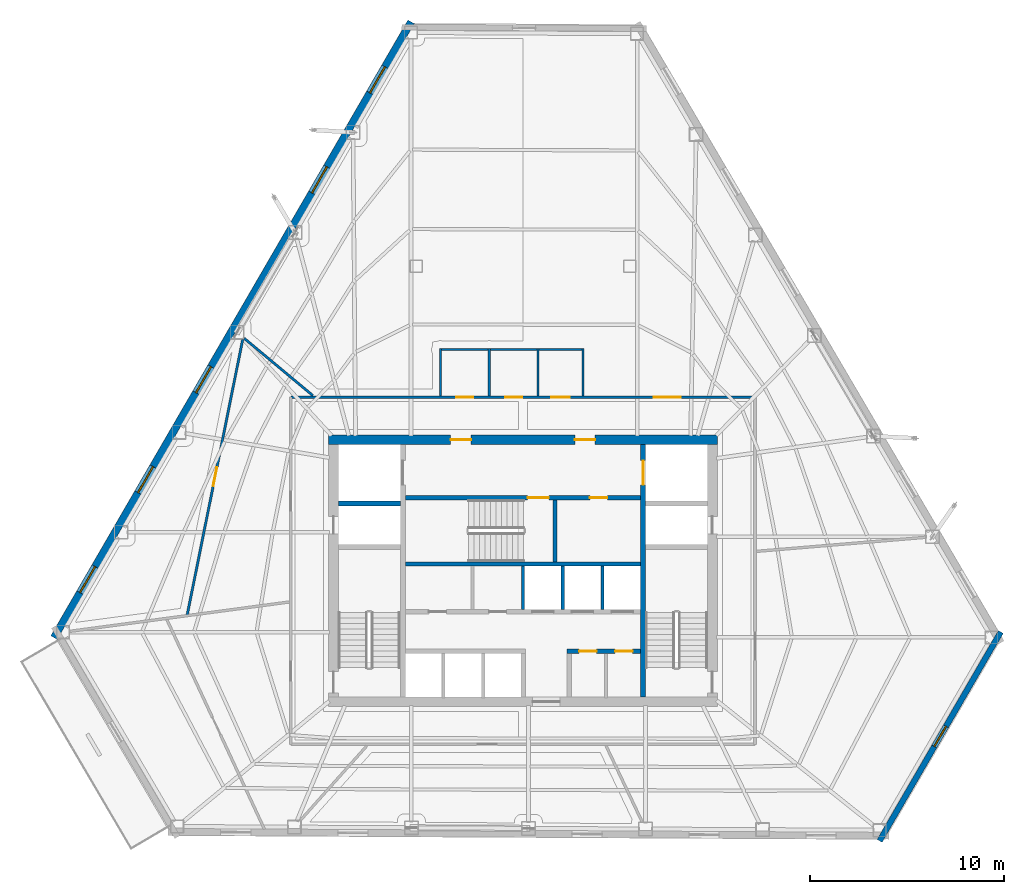
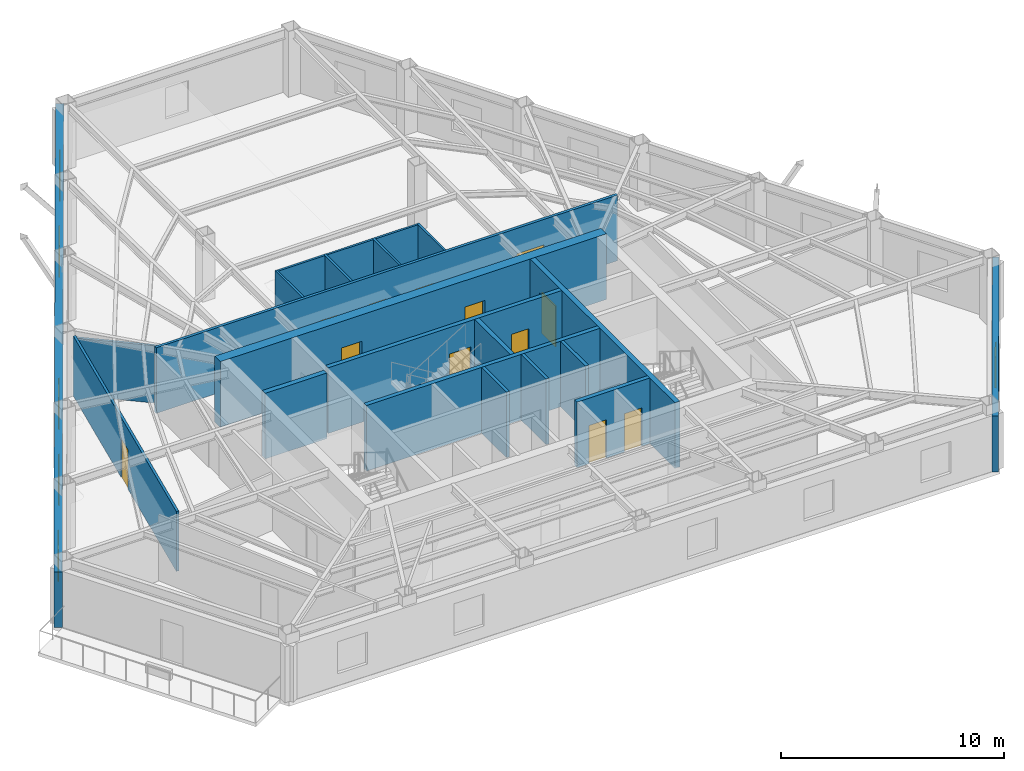
# One storey, part 8 of 13: 20 walls, 12 doors, 6 windows, 18 openings.
"""IFC4 building model written with IfcOpenShell, lengths in metres."""

from ifc_helpers import new_model, si_unit, direction, frame, frame_2d, origin, place, context, subcontext, project, spatial, rectangle, extrude, material, layer, layer_set, type_object, element, fill, save


model = new_model("IFC4")

# Units and contexts
model_context = context("Model", 3, precision=1e-05, world=origin(), true_north=direction((0.0, 1.0)))
body_context = subcontext(model_context, "Body", "Model", "MODEL_VIEW")
ifc_project = project(units=[si_unit("LENGTHUNIT", "METRE"), si_unit("AREAUNIT", "SQUARE_METRE"), si_unit("VOLUMEUNIT", "CUBIC_METRE"), si_unit("PLANEANGLEUNIT", "RADIAN"), si_unit("MASSUNIT", "GRAM", prefix="KILO")], contexts=[model_context])

# Site, building, storey
site_placement = place(None, origin())
site = spatial("IfcSite", under=ifc_project, at=site_placement, CompositionType="ELEMENT")
building_placement = place(site_placement, origin())
building = spatial("IfcBuilding", under=site, at=building_placement, Name="Kavelnor Concourse Tower", CompositionType="ELEMENT")
storey_placement = place(building_placement, frame((0.0, 0.0, 124.0)))
storey = spatial("IfcBuildingStorey", under=building, at=storey_placement, Name="L31", CompositionType="ELEMENT", Elevation=124.0)

# Wall, openings, doors
ifc_material_1 = material(Name="Concrete C60/75", Category="concrete")
ifc_layer_1 = layer(ifc_material_1, 0.5, Name="Concrete C60/75")
ifc_layer_set_1 = layer_set([ifc_layer_1], Name="Concrete C60/75")
wall_type_1 = type_object("IfcWallType", Name="WL-CORE-Z2-500", PredefinedType="SOLIDWALL", material=ifc_layer_set_1)
wall_1_placement = place(storey_placement, frame((27.97998046875, 22.85009765625, 0.0), z_axis=(0.0, 0.0, 1.0), x_axis=(1.0, 0.0, 0.0)))
wall_1 = element("IfcWall", 1, at=wall_1_placement, inside=storey, type_object=wall_type_1, Name="L31 Central Core North Shear Wall", PredefinedType="SOLIDWALL", context=body_context, shape_type="SweptSolid", body=[
    extrude(rectangle(XDim=20.0400390625, YDim=0.5, at=frame_2d((10.02001953125, 0.0))), origin(), (0.0, 0.0, 1.0), 3.60009765625),
])
opening_1_placement = place(wall_1_placement, frame((6.294921875, 0.0, 0.0)))
opening_1 = element("IfcOpeningElement", 2, at=opening_1_placement, cuts=wall_1, Name="Opening FD-105", PredefinedType="OPENING", context=body_context, shape_type="SweptSolid", body=[
    extrude(rectangle(XDim=1.050048828125, YDim=2.14990234375, at=frame_2d((0.52490234375, 1.074951171875))), frame((0.0, 0.260009765625, 0.0), z_axis=(0.0, -1.0, 0.0), x_axis=(1.0, 0.0, 0.0)), (0.0, 0.0, 1.0), 0.52001953125),
])
opening_2_placement = place(wall_1_placement, frame((12.695068359375, 0.0, 0.0)))
opening_2 = element("IfcOpeningElement", 3, at=opening_2_placement, cuts=wall_1, Name="Opening FD-105", PredefinedType="OPENING", context=body_context, shape_type="SweptSolid", body=[
    extrude(rectangle(XDim=1.050048828125, YDim=2.14990234375, at=frame_2d((0.52490234375, 1.074951171875))), frame((0.0, 0.260009765625, 0.0), z_axis=(0.0, -1.0, 0.0), x_axis=(1.0, 0.0, 0.0)), (0.0, 0.0, 1.0), 0.52001953125),
])
ifc_material_2 = material(Name="Steel Grade 350", Category="steel")
door_type_1 = type_object("IfcDoorType", Name="DR-LOBBY-FIRE-1050", OperationType="NOTDEFINED", PredefinedType="DOOR", material=ifc_material_2)
door_1_placement = place(opening_1_placement, origin())
door_1 = element("IfcDoor", 4, at=door_1_placement, inside=storey, type_object=door_type_1, Name="L31 Emergency Lift Lobby West Door", OperationType="SINGLE_SWING_LEFT", OverallHeight=2.14990234375, OverallWidth=1.050048828125, PredefinedType="DOOR", context=body_context, shape_type="SweptSolid", body=[
    extrude(rectangle(XDim=1.050048828125, YDim=2.14990234375, at=frame_2d((0.52490234375, 1.074951171875))), frame((0.0, 0.02490234375, 0.0), z_axis=(0.0, -1.0, 0.0), x_axis=(1.0, 0.0, 0.0)), (0.0, 0.0, 1.0), 0.050048828125),
])
fill(opening_1, door_1)
door_2_placement = place(opening_2_placement, origin())
door_2 = element("IfcDoor", 5, at=door_2_placement, inside=storey, type_object=door_type_1, Name="L31 Emergency Lift Lobby East Door", OperationType="SINGLE_SWING_RIGHT", OverallHeight=2.14990234375, OverallWidth=1.050048828125, PredefinedType="DOOR", context=body_context, shape_type="SweptSolid", body=[
    extrude(rectangle(XDim=1.050048828125, YDim=2.14990234375, at=frame_2d((0.52490234375, 1.074951171875))), frame((0.0, 0.02490234375, 0.0), z_axis=(0.0, -1.0, 0.0), x_axis=(1.0, 0.0, 0.0)), (0.0, 0.0, 1.0), 0.050048828125),
])
fill(opening_2, door_2)

# Wall, opening, window
ifc_material_3 = material(Name="Buff ironspot clay face brick masonry", Category="masonry")
ifc_layer_2 = layer(ifc_material_3, 0.300048828125, Name="Buff ironspot clay face brick masonry")
ifc_layer_set_2 = layer_set([ifc_layer_2], Name="Buff ironspot clay face brick masonry")
wall_type_2 = type_object("IfcWallType", Name="WL-EXT-BUFF-BRICK-FOLD-300", PredefinedType="STANDARD", material=ifc_layer_set_2)
wall_2_placement = place(storey_placement, frame((62.638671875, 12.944091796875, 0.0), z_axis=(0.0, 0.0, 1.0), x_axis=(-0.501721315846, -0.865029318131, 0.0)))
wall_2 = element("IfcWall", 6, at=wall_2_placement, inside=storey, type_object=wall_type_2, Name="L31 Exterior Brick Facade Wall E4", PredefinedType="STANDARD", context=body_context, shape_type="SweptSolid", body=[
    extrude(rectangle(XDim=12.4580078125, YDim=0.300048828125, at=frame_2d((6.22900390625, 0.0))), origin(), (0.0, 0.0, 1.0), 3.05908203125),
])
opening_3_placement = place(wall_2_placement, frame((5.629150390625, 0.0, 0.64990234375)))
opening_3 = element("IfcOpeningElement", 7, at=opening_3_placement, cuts=wall_2, Name="Opening W-05", PredefinedType="OPENING", context=body_context, shape_type="SweptSolid", body=[
    extrude(rectangle(XDim=1.199951171875, YDim=1.699951171875, at=frame_2d((0.60009765625, 0.85009765625))), frame((0.0, 0.16015625, 0.0), z_axis=(0.0, -1.0, 0.0), x_axis=(1.0, 0.0, 0.0)), (0.0, 0.0, 1.0), 0.320068359375),
])
ifc_material_4 = material(Name="Double low-E argon insulated glazing", Category="glass")
window_type_1 = type_object("IfcWindowType", Name="WIN-FOLD-1200", PartitioningType="SINGLE_PANEL", PredefinedType="WINDOW", material=ifc_material_4)
window_1_placement = place(opening_3_placement, origin())
window_1 = element("IfcWindow", 8, at=window_1_placement, inside=storey, type_object=window_type_1, Name="L31 Chamfer-Fold Facet Window C2", OverallHeight=1.699951171875, OverallWidth=1.199951171875, PartitioningType="SINGLE_PANEL", PredefinedType="WINDOW", context=body_context, shape_type="SweptSolid", body=[
    extrude(rectangle(XDim=1.199951171875, YDim=1.699951171875, at=frame_2d((0.60009765625, 0.85009765625))), frame((0.0, 0.030029296875, 0.0), z_axis=(0.0, -1.0, 0.0), x_axis=(1.0, 0.0, 0.0)), (0.0, 0.0, 1.0), 0.06005859375),
])
fill(opening_3, window_1)

# Wall, openings, windows
ifc_material_5 = material(Name="Red-ochre clay face brick masonry", Category="masonry")
ifc_layer_3 = layer(ifc_material_5, 0.3798828125, Name="Red-ochre clay face brick masonry")
ifc_layer_set_3 = layer_set([ifc_layer_3], Name="Red-ochre clay face brick masonry")
wall_type_3 = type_object("IfcWallType", Name="WL-EXT-RED-BRICK-PIER-380", PredefinedType="STANDARD", material=ifc_layer_set_3)
wall_3_placement = place(storey_placement, frame((13.815185546875, 12.6494140625, 0.0), z_axis=(0.0, 0.0, 1.0), x_axis=(0.501718288841, 0.865031073801, 0.0)))
wall_3 = element("IfcWall", 9, at=wall_3_placement, inside=storey, type_object=wall_type_3, Name="L31 Exterior Brick Facade Wall E1", PredefinedType="STANDARD", context=body_context, shape_type="SweptSolid", body=[
    extrude(rectangle(XDim=36.707763671875, YDim=0.3798828125, at=frame_2d((18.35400390625, 0.0))), origin(), (0.0, 0.0, 1.0), 3.05908203125),
])
opening_4_placement = place(wall_3_placement, frame((32.4755859375, 0.0, 0.64990234375)))
opening_4 = element("IfcOpeningElement", 10, at=opening_4_placement, cuts=wall_3, Name="Opening W-02", PredefinedType="OPENING", context=body_context, shape_type="SweptSolid", body=[
    extrude(rectangle(XDim=1.550048828125, YDim=1.75, at=frame_2d((0.77490234375, 0.875))), frame((0.0, 0.199951171875, 0.0), z_axis=(0.0, -1.0, 0.0), x_axis=(1.0, 0.0, 0.0)), (0.0, 0.0, 1.0), 0.39990234375),
])
opening_5_placement = place(wall_3_placement, frame((26.517333984375, 0.0, 0.64990234375)))
opening_5 = element("IfcOpeningElement", 11, at=opening_5_placement, cuts=wall_3, Name="Opening W-02", PredefinedType="OPENING", context=body_context, shape_type="SweptSolid", body=[
    extrude(rectangle(XDim=1.550048828125, YDim=1.75, at=frame_2d((0.77490234375, 0.875))), frame((0.0, 0.199951171875, 0.0), z_axis=(0.0, -1.0, 0.0), x_axis=(1.0, 0.0, 0.0)), (0.0, 0.0, 1.0), 0.39990234375),
])
opening_6_placement = place(wall_3_placement, frame((14.600830078125, 0.0, 0.64990234375)))
opening_6 = element("IfcOpeningElement", 12, at=opening_6_placement, cuts=wall_3, Name="Opening W-02", PredefinedType="OPENING", context=body_context, shape_type="SweptSolid", body=[
    extrude(rectangle(XDim=1.550048828125, YDim=1.75, at=frame_2d((0.77490234375, 0.875))), frame((0.0, 0.199951171875, 0.0), z_axis=(0.0, -1.0, 0.0), x_axis=(1.0, 0.0, 0.0)), (0.0, 0.0, 1.0), 0.39990234375),
])
opening_7_placement = place(wall_3_placement, frame((8.642578125, 0.0, 0.64990234375)))
opening_7 = element("IfcOpeningElement", 13, at=opening_7_placement, cuts=wall_3, Name="Opening W-02", PredefinedType="OPENING", context=body_context, shape_type="SweptSolid", body=[
    extrude(rectangle(XDim=1.550048828125, YDim=1.75, at=frame_2d((0.77490234375, 0.875))), frame((0.0, 0.199951171875, 0.0), z_axis=(0.0, -1.0, 0.0), x_axis=(1.0, 0.0, 0.0)), (0.0, 0.0, 1.0), 0.39990234375),
])
opening_8_placement = place(wall_3_placement, frame((2.684326171875, 0.0, 0.64990234375)))
opening_8 = element("IfcOpeningElement", 14, at=opening_8_placement, cuts=wall_3, Name="Opening W-02", PredefinedType="OPENING", context=body_context, shape_type="SweptSolid", body=[
    extrude(rectangle(XDim=1.550048828125, YDim=1.75, at=frame_2d((0.77490234375, 0.875))), frame((0.0, 0.199951171875, 0.0), z_axis=(0.0, -1.0, 0.0), x_axis=(1.0, 0.0, 0.0)), (0.0, 0.0, 1.0), 0.39990234375),
])
window_type_2 = type_object("IfcWindowType", Name="WIN-PIER-Z2-1650", PartitioningType="SINGLE_PANEL", PredefinedType="WINDOW", material=ifc_material_4)
window_2_placement = place(opening_4_placement, origin())
window_2 = element("IfcWindow", 15, at=window_2_placement, inside=storey, type_object=window_type_2, Name="L31 Deep-Set Brick Pier Window F0-B0", OverallHeight=1.75, OverallWidth=1.550048828125, PartitioningType="SINGLE_PANEL", PredefinedType="WINDOW", context=body_context, shape_type="SweptSolid", body=[
    extrude(rectangle(XDim=1.550048828125, YDim=1.75, at=frame_2d((0.77490234375, 0.875))), frame((0.0, 0.030029296875, 0.0), z_axis=(0.0, -1.0, 0.0), x_axis=(1.0, 0.0, 0.0)), (0.0, 0.0, 1.0), 0.06005859375),
])
fill(opening_4, window_2)
window_3_placement = place(opening_5_placement, origin())
window_3 = element("IfcWindow", 16, at=window_3_placement, inside=storey, type_object=window_type_2, Name="L31 Deep-Set Brick Pier Window F0-B1", OverallHeight=1.75, OverallWidth=1.550048828125, PartitioningType="SINGLE_PANEL", PredefinedType="WINDOW", context=body_context, shape_type="SweptSolid", body=[
    extrude(rectangle(XDim=1.550048828125, YDim=1.75, at=frame_2d((0.77490234375, 0.875))), frame((0.0, 0.030029296875, 0.0), z_axis=(0.0, -1.0, 0.0), x_axis=(1.0, 0.0, 0.0)), (0.0, 0.0, 1.0), 0.06005859375),
])
fill(opening_5, window_3)
window_4_placement = place(opening_6_placement, origin())
window_4 = element("IfcWindow", 17, at=window_4_placement, inside=storey, type_object=window_type_2, Name="L31 Deep-Set Brick Pier Window F0-B3", OverallHeight=1.75, OverallWidth=1.550048828125, PartitioningType="SINGLE_PANEL", PredefinedType="WINDOW", context=body_context, shape_type="SweptSolid", body=[
    extrude(rectangle(XDim=1.550048828125, YDim=1.75, at=frame_2d((0.77490234375, 0.875))), frame((0.0, 0.030029296875, 0.0), z_axis=(0.0, -1.0, 0.0), x_axis=(1.0, 0.0, 0.0)), (0.0, 0.0, 1.0), 0.06005859375),
])
fill(opening_6, window_4)
window_5_placement = place(opening_7_placement, origin())
window_5 = element("IfcWindow", 18, at=window_5_placement, inside=storey, type_object=window_type_2, Name="L31 Deep-Set Brick Pier Window F0-B4", OverallHeight=1.75, OverallWidth=1.550048828125, PartitioningType="SINGLE_PANEL", PredefinedType="WINDOW", context=body_context, shape_type="SweptSolid", body=[
    extrude(rectangle(XDim=1.550048828125, YDim=1.75, at=frame_2d((0.77490234375, 0.875))), frame((0.0, 0.030029296875, 0.0), z_axis=(0.0, -1.0, 0.0), x_axis=(1.0, 0.0, 0.0)), (0.0, 0.0, 1.0), 0.06005859375),
])
fill(opening_7, window_5)
window_6_placement = place(opening_8_placement, origin())
window_6 = element("IfcWindow", 19, at=window_6_placement, inside=storey, type_object=window_type_2, Name="L31 Deep-Set Brick Pier Window F0-B5", OverallHeight=1.75, OverallWidth=1.550048828125, PartitioningType="SINGLE_PANEL", PredefinedType="WINDOW", context=body_context, shape_type="SweptSolid", body=[
    extrude(rectangle(XDim=1.550048828125, YDim=1.75, at=frame_2d((0.77490234375, 0.875))), frame((0.0, 0.030029296875, 0.0), z_axis=(0.0, -1.0, 0.0), x_axis=(1.0, 0.0, 0.0)), (0.0, 0.0, 1.0), 0.06005859375),
])
fill(opening_8, window_6)

# Wall, openings, doors
ifc_material_6 = material(Name="Gypsum plasterboard on light-gauge steel studs", Category="steel")
ifc_layer_4 = layer(ifc_material_6, 0.14501953125, Name="Gypsum plasterboard on light-gauge steel studs")
ifc_layer_set_4 = layer_set([ifc_layer_4], Name="Gypsum plasterboard on light-gauge steel studs")
wall_type_4 = type_object("IfcWallType", Name="WL-INT-CORR-145", PredefinedType="PARTITIONING", material=ifc_layer_set_4)
wall_4_placement = place(storey_placement, frame((49.969970703125, 25.050048828125, 0.0), z_axis=(0.0, 0.0, 1.0), x_axis=(-1.0, 0.0, 0.0)))
wall_4 = element("IfcWall", 20, at=wall_4_placement, inside=storey, type_object=wall_type_4, Name="L31 Corridor Wall WL-L31-CR-02", PredefinedType="PARTITIONING", context=body_context, shape_type="SweptSolid", body=[
    extrude(rectangle(XDim=23.93994140625, YDim=0.14501953125, at=frame_2d((11.969970703125, 0.0))), origin(), (0.0, 0.0, 1.0), 3.60009765625),
])
opening_9_placement = place(wall_4_placement, frame((14.530029296875, 0.0, 0.0)))
opening_9 = element("IfcOpeningElement", 21, at=opening_9_placement, cuts=wall_4, Name="Opening WD-088", PredefinedType="OPENING", context=body_context, shape_type="SweptSolid", body=[
    extrude(rectangle(XDim=0.8798828125, YDim=2.10009765625, at=frame_2d((0.43994140625, 1.050048828125))), frame((0.0, 0.08251953125, 0.0), z_axis=(0.0, -1.0, 0.0), x_axis=(1.0, 0.0, 0.0)), (0.0, 0.0, 1.0), 0.1650390625),
])
opening_10_placement = place(wall_4_placement, frame((12.010009765625, 0.0, 0.0)))
opening_10 = element("IfcOpeningElement", 22, at=opening_10_placement, cuts=wall_4, Name="Opening WD-088", PredefinedType="OPENING", context=body_context, shape_type="SweptSolid", body=[
    extrude(rectangle(XDim=0.8798828125, YDim=2.10009765625, at=frame_2d((0.43994140625, 1.050048828125))), frame((0.0, 0.08251953125, 0.0), z_axis=(0.0, -1.0, 0.0), x_axis=(1.0, 0.0, 0.0)), (0.0, 0.0, 1.0), 0.1650390625),
])
opening_11_placement = place(wall_4_placement, frame((9.550048828125, 0.0, 0.0)))
opening_11 = element("IfcOpeningElement", 23, at=opening_11_placement, cuts=wall_4, Name="Opening WD-096", PredefinedType="OPENING", context=body_context, shape_type="SweptSolid", body=[
    extrude(rectangle(XDim=0.9599609375, YDim=2.10009765625, at=frame_2d((0.47998046875, 1.050048828125))), frame((0.0, 0.08251953125, 0.0), z_axis=(0.0, -1.0, 0.0), x_axis=(1.0, 0.0, 0.0)), (0.0, 0.0, 1.0), 0.1650390625),
])
opening_12_placement = place(wall_4_placement, frame((3.82568359375, 0.0, 0.0)))
opening_12 = element("IfcOpeningElement", 24, at=opening_12_placement, cuts=wall_4, Name="Opening SD-140", PredefinedType="OPENING", context=body_context, shape_type="SweptSolid", body=[
    extrude(rectangle(XDim=1.39990234375, YDim=2.199951171875, at=frame_2d((0.699951171875, 1.10009765625))), frame((0.0, 0.08251953125, 0.0), z_axis=(0.0, -1.0, 0.0), x_axis=(1.0, 0.0, 0.0)), (0.0, 0.0, 1.0), 0.1650390625),
])
ifc_material_7 = material(Name="Solid-core hardwood timber", Category="wood")
door_type_2 = type_object("IfcDoorType", Name="DR-SUITE-ENTRY-1400", OperationType="NOTDEFINED", PredefinedType="DOOR", material=ifc_material_7)
door_3_placement = place(opening_12_placement, origin())
door_3 = element("IfcDoor", 25, at=door_3_placement, inside=storey, type_object=door_type_2, Name="L31 Building Staff Breakroom 01 Door", OperationType="SINGLE_SWING_LEFT", OverallHeight=2.199951171875, OverallWidth=1.39990234375, PredefinedType="DOOR", context=body_context, shape_type="SweptSolid", body=[
    extrude(rectangle(XDim=1.39990234375, YDim=2.199951171875, at=frame_2d((0.699951171875, 1.10009765625))), frame((0.0, 0.02490234375, 0.0), z_axis=(0.0, -1.0, 0.0), x_axis=(1.0, 0.0, 0.0)), (0.0, 0.0, 1.0), 0.050048828125),
])
fill(opening_12, door_3)
door_type_3 = type_object("IfcDoorType", Name="DR-WC-ACC-960", OperationType="NOTDEFINED", PredefinedType="DOOR", material=ifc_material_7)
door_4_placement = place(opening_11_placement, origin())
door_4 = element("IfcDoor", 26, at=door_4_placement, inside=storey, type_object=door_type_3, Name="L31 Accessible WC Door", OperationType="SINGLE_SWING_RIGHT", OverallHeight=2.10009765625, OverallWidth=0.9599609375, PredefinedType="DOOR", context=body_context, shape_type="SweptSolid", body=[
    extrude(rectangle(XDim=0.9599609375, YDim=2.10009765625, at=frame_2d((0.47998046875, 1.050048828125))), frame((0.0, 0.02490234375, 0.0), z_axis=(0.0, -1.0, 0.0), x_axis=(1.0, 0.0, 0.0)), (0.0, 0.0, 1.0), 0.050048828125),
])
fill(opening_11, door_4)
door_type_4 = type_object("IfcDoorType", Name="DR-WC-STD-880", OperationType="NOTDEFINED", PredefinedType="DOOR", material=ifc_material_7)
door_5_placement = place(opening_9_placement, origin())
door_5 = element("IfcDoor", 27, at=door_5_placement, inside=storey, type_object=door_type_4, Name="L31 Male WC Door", OperationType="SINGLE_SWING_RIGHT", OverallHeight=2.10009765625, OverallWidth=0.8798828125, PredefinedType="DOOR", context=body_context, shape_type="SweptSolid", body=[
    extrude(rectangle(XDim=0.8798828125, YDim=2.10009765625, at=frame_2d((0.43994140625, 1.050048828125))), frame((0.0, 0.02490234375, 0.0), z_axis=(0.0, -1.0, 0.0), x_axis=(1.0, 0.0, 0.0)), (0.0, 0.0, 1.0), 0.050048828125),
])
fill(opening_9, door_5)
door_6_placement = place(opening_10_placement, origin())
door_6 = element("IfcDoor", 28, at=door_6_placement, inside=storey, type_object=door_type_4, Name="L31 Female WC Door", OperationType="SINGLE_SWING_LEFT", OverallHeight=2.10009765625, OverallWidth=0.8798828125, PredefinedType="DOOR", context=body_context, shape_type="SweptSolid", body=[
    extrude(rectangle(XDim=0.8798828125, YDim=2.10009765625, at=frame_2d((0.43994140625, 1.050048828125))), frame((0.0, 0.02490234375, 0.0), z_axis=(0.0, -1.0, 0.0), x_axis=(1.0, 0.0, 0.0)), (0.0, 0.0, 1.0), 0.050048828125),
])
fill(opening_10, door_6)

# Walls
ifc_layer_5 = layer(ifc_material_6, 0.1650390625, Name="Gypsum plasterboard on light-gauge steel studs")
ifc_layer_set_5 = layer_set([ifc_layer_5], Name="Gypsum plasterboard on light-gauge steel studs")
wall_type_5 = type_object("IfcWallType", Name="WL-INT-FIRE-165", PredefinedType="PARTITIONING", material=ifc_layer_set_5)
for number, where, z_axis, x_axis, name in (
    (29, (38.0, 14.10009765625, 0.0), (0.0, 0.0, 1.0), (0.0, 1.0, 0.0), "L31 Reclaimed Core Zone Partition"),
    (30, (40.050048828125, 14.10009765625, 0.0), (0.0, 0.0, 1.0), (0.0, 1.0, 0.0), "L31 Lift Shaft Divider LP4"),
    (31, (42.10009765625, 14.10009765625, 0.0), (0.0, 0.0, 1.0), (0.0, 1.0, 0.0), "L31 Lift Shaft Divider LP5"),
):
    element("IfcWall", number, at=place(storey_placement, frame(where, z_axis=z_axis, x_axis=x_axis)), inside=storey, type_object=wall_type_5, Name=name, PredefinedType="PARTITIONING", context=body_context, shape_type="SweptSolid", body=[
        extrude(rectangle(XDim=2.239990234375, YDim=0.1650390625, at=frame_2d((1.1201171875, 0.0))), origin(), (0.0, 0.0, 1.0), 3.60009765625),
    ])
ifc_layer_6 = layer(ifc_material_6, 0.125, Name="Gypsum plasterboard on light-gauge steel studs")
ifc_layer_set_6 = layer_set([ifc_layer_6], Name="Gypsum plasterboard on light-gauge steel studs")
wall_type_6 = type_object("IfcWallType", Name="WL-INT-SUITE-125", PredefinedType="PARTITIONING", material=ifc_layer_set_6)
wall_5_placement = place(storey_placement, frame((27.169189453125, 25.130615234375, 0.0), z_axis=(0.0, 0.0, 1.0), x_axis=(-0.768091130842, 0.640340545899, 0.0)))
element("IfcWall", 32, at=wall_5_placement, inside=storey, type_object=wall_type_6, Name="L31 Radial Suite Partition 02", PredefinedType="PARTITIONING", context=body_context, shape_type="SweptSolid", body=[
    extrude(rectangle(XDim=4.61328125, YDim=0.125, at=frame_2d((2.306640625, 0.0))), origin(), (0.0, 0.0, 1.0), 3.14111328125),
])

# Wall, opening, door
wall_6_placement = place(storey_placement, frame((23.54833984375, 28.023681640625, 0.0), z_axis=(0.0, 0.0, 1.0), x_axis=(-0.197497571842, -0.980303376061, 0.0)))
wall_6 = element("IfcWall", 33, at=wall_6_placement, inside=storey, type_object=wall_type_6, Name="L31 Suite Subdivision Partition 02", PredefinedType="PARTITIONING", context=body_context, shape_type="SweptSolid", body=[
    extrude(rectangle(XDim=14.51025390625, YDim=0.125, at=frame_2d((7.255126953125, 0.0))), origin(), (0.0, 0.0, 1.0), 3.2880859375),
])
opening_13_placement = place(wall_6_placement, frame((6.726806640625, 0.0, 0.0)))
opening_13 = element("IfcOpeningElement", 34, at=opening_13_placement, cuts=wall_6, Name="Opening OD-098", PredefinedType="OPENING", context=body_context, shape_type="SweptSolid", body=[
    extrude(rectangle(XDim=0.97998046875, YDim=2.14990234375, at=frame_2d((0.489990234375, 1.074951171875))), frame((0.0, 0.072509765625, 0.0), z_axis=(0.0, -1.0, 0.0), x_axis=(1.0, 0.0, 0.0)), (0.0, 0.0, 1.0), 0.14501953125),
])
door_type_5 = type_object("IfcDoorType", Name="DR-OFFICE-980", OperationType="NOTDEFINED", PredefinedType="DOOR", material=ifc_material_7)
door_7_placement = place(opening_13_placement, origin())
door_7 = element("IfcDoor", 35, at=door_7_placement, inside=storey, type_object=door_type_5, Name="L31 Executive Dining Room 03 Door", OperationType="SINGLE_SWING_LEFT", OverallHeight=2.14990234375, OverallWidth=0.97998046875, PredefinedType="DOOR", context=body_context, shape_type="SweptSolid", body=[
    extrude(rectangle(XDim=0.97998046875, YDim=2.14990234375, at=frame_2d((0.489990234375, 1.074951171875))), frame((0.0, 0.02490234375, 0.0), z_axis=(0.0, -1.0, 0.0), x_axis=(1.0, 0.0, 0.0)), (0.0, 0.0, 1.0), 0.050048828125),
])
fill(opening_13, door_7)

# Walls
ifc_layer_7 = layer(ifc_material_6, 0.110107421875, Name="Gypsum plasterboard on light-gauge steel studs")
ifc_layer_set_7 = layer_set([ifc_layer_7], Name="Gypsum plasterboard on light-gauge steel studs")
wall_type_7 = type_object("IfcWallType", Name="WL-INT-WC-110", PredefinedType="PLUMBINGWALL", material=ifc_layer_set_7)
for number, where, z_axis, x_axis, name in (
    (36, (33.739990234375, 25.1201171875, 0.0), (0.0, 0.0, 1.0), (0.0, 1.0, 0.0), "L31 Sanitary Partition WL-L31-WC-W"),
    (37, (36.260009765625, 25.1201171875, 0.0), (0.0, 0.0, 1.0), (0.0, 1.0, 0.0), "L31 Sanitary Partition WL-L31-WC-D1"),
    (38, (38.780029296875, 25.1201171875, 0.0), (0.0, 0.0, 1.0), (0.0, 1.0, 0.0), "L31 Sanitary Partition WL-L31-WC-D2"),
    (39, (41.10009765625, 25.1201171875, 0.0), (0.0, 0.0, 1.0), (0.0, 1.0, 0.0), "L31 Sanitary Partition WL-L31-WC-E"),
):
    element("IfcWall", number, at=place(storey_placement, frame(where, z_axis=z_axis, x_axis=x_axis)), inside=storey, type_object=wall_type_7, Name=name, PredefinedType="PLUMBINGWALL", context=body_context, shape_type="SweptSolid", body=[
        extrude(rectangle(XDim=2.43994140625, YDim=0.110107421875, at=frame_2d((1.219970703125, 0.0))), origin(), (0.0, 0.0, 1.0), 3.60009765625),
    ])
wall_7_placement = place(storey_placement, frame((33.68994140625, 27.5, 0.0), z_axis=(0.0, 0.0, 1.0), x_axis=(1.0, 0.0, 0.0)))
element("IfcWall", 40, at=wall_7_placement, inside=storey, type_object=wall_type_7, Name="L31 Sanitary Partition WL-L31-WC-N", PredefinedType="PLUMBINGWALL", context=body_context, shape_type="SweptSolid", body=[
    extrude(rectangle(XDim=7.4599609375, YDim=0.110107421875, at=frame_2d((3.72998046875, 0.0))), origin(), (0.0, 0.0, 1.0), 3.60009765625),
])

# Wall, openings, doors
ifc_material_8 = material(Name="Concrete C50/60", Category="concrete")
ifc_layer_8 = layer(ifc_material_8, 0.219970703125, Name="Concrete C50/60")
ifc_layer_set_8 = layer_set([ifc_layer_8], Name="Concrete C50/60")
wall_type_8 = type_object("IfcWallType", Name="WL-SHAFT-220", PredefinedType="SOLIDWALL", material=ifc_layer_set_8)
wall_8_placement = place(storey_placement, frame((31.93994140625, 19.8701171875, 0.0), z_axis=(0.0, 0.0, 1.0), x_axis=(1.0, 0.0, 0.0)))
wall_8 = element("IfcWall", 41, at=wall_8_placement, inside=storey, type_object=wall_type_8, Name="L31 Emergency Lift Lobby South Wall", PredefinedType="SOLIDWALL", context=body_context, shape_type="SweptSolid", body=[
    extrude(rectangle(XDim=12.1201171875, YDim=0.219970703125, at=frame_2d((6.06005859375, 0.0))), origin(), (0.0, 0.0, 1.0), 3.60009765625),
])
opening_14_placement = place(wall_8_placement, frame((6.300048828125, 0.0, 0.0)))
opening_14 = element("IfcOpeningElement", 42, at=opening_14_placement, cuts=wall_8, Name="Opening FD-110", PredefinedType="OPENING", context=body_context, shape_type="SweptSolid", body=[
    extrude(rectangle(XDim=1.10009765625, YDim=2.14990234375, at=frame_2d((0.550048828125, 1.074951171875))), frame((0.0, 0.1201171875, 0.0), z_axis=(0.0, -1.0, 0.0), x_axis=(1.0, 0.0, 0.0)), (0.0, 0.0, 1.0), 0.239990234375),
])
opening_15_placement = place(wall_8_placement, frame((9.510009765625, 0.0, 0.0)))
opening_15 = element("IfcOpeningElement", 43, at=opening_15_placement, cuts=wall_8, Name="Opening FD-090", PredefinedType="OPENING", context=body_context, shape_type="SweptSolid", body=[
    extrude(rectangle(XDim=0.89990234375, YDim=2.10009765625, at=frame_2d((0.449951171875, 1.050048828125))), frame((0.0, 0.1201171875, 0.0), z_axis=(0.0, -1.0, 0.0), x_axis=(1.0, 0.0, 0.0)), (0.0, 0.0, 1.0), 0.239990234375),
])
door_type_6 = type_object("IfcDoorType", Name="DR-RISER-FIRE-900", OperationType="NOTDEFINED", PredefinedType="DOOR", material=ifc_material_2)
door_8_placement = place(opening_15_placement, origin())
door_8 = element("IfcDoor", 44, at=door_8_placement, inside=storey, type_object=door_type_6, Name="L31 Electrical Comms Door", OperationType="SINGLE_SWING_LEFT", OverallHeight=2.10009765625, OverallWidth=0.89990234375, PredefinedType="DOOR", context=body_context, shape_type="SweptSolid", body=[
    extrude(rectangle(XDim=0.89990234375, YDim=2.10009765625, at=frame_2d((0.449951171875, 1.050048828125))), frame((0.0, 0.02490234375, 0.0), z_axis=(0.0, -1.0, 0.0), x_axis=(1.0, 0.0, 0.0)), (0.0, 0.0, 1.0), 0.050048828125),
])
fill(opening_15, door_8)
door_type_7 = type_object("IfcDoorType", Name="DR-STAIR-FIRE-1100", OperationType="NOTDEFINED", PredefinedType="DOOR", material=ifc_material_2)
door_9_placement = place(opening_14_placement, origin())
door_9 = element("IfcDoor", 45, at=door_9_placement, inside=storey, type_object=door_type_7, Name="L31 Stair ST3 Fire Door", OperationType="SINGLE_SWING_LEFT", OverallHeight=2.14990234375, OverallWidth=1.10009765625, PredefinedType="DOOR", context=body_context, shape_type="SweptSolid", body=[
    extrude(rectangle(XDim=1.10009765625, YDim=2.14990234375, at=frame_2d((0.550048828125, 1.074951171875))), frame((0.0, 0.02490234375, 0.0), z_axis=(0.0, -1.0, 0.0), x_axis=(1.0, 0.0, 0.0)), (0.0, 0.0, 1.0), 0.050048828125),
])
fill(opening_14, door_9)

# Walls
wall_9_placement = place(storey_placement, frame((31.93994140625, 16.449951171875, 0.0), z_axis=(0.0, 0.0, 1.0), x_axis=(1.0, 0.0, 0.0)))
element("IfcWall", 46, at=wall_9_placement, inside=storey, type_object=wall_type_8, Name="L31 Stair ST3 South Core Wall", PredefinedType="SOLIDWALL", context=body_context, shape_type="SweptSolid", body=[
    extrude(rectangle(XDim=12.1201171875, YDim=0.219970703125, at=frame_2d((6.06005859375, 0.0))), origin(), (0.0, 0.0, 1.0), 3.60009765625),
])
wall_10_placement = place(storey_placement, frame((39.64990234375, 16.56005859375, 0.0), z_axis=(0.0, 0.0, 1.0), x_axis=(0.0, 1.0, 0.0)))
element("IfcWall", 47, at=wall_10_placement, inside=storey, type_object=wall_type_8, Name="L31 Stair ST3 East Core Wall", PredefinedType="SOLIDWALL", context=body_context, shape_type="SweptSolid", body=[
    extrude(rectangle(XDim=3.199951171875, YDim=0.219970703125, at=frame_2d((1.60009765625, 0.0))), origin(), (0.0, 0.0, 1.0), 3.60009765625),
])

# Wall, openings, doors
wall_11_placement = place(storey_placement, frame((40.280029296875, 11.949951171875, 0.0), z_axis=(0.0, 0.0, 1.0), x_axis=(1.0, 0.0, 0.0)))
wall_11 = element("IfcWall", 48, at=wall_11_placement, inside=storey, type_object=wall_type_8, Name="L31 Core South Support North Wall", PredefinedType="SOLIDWALL", context=body_context, shape_type="SweptSolid", body=[
    extrude(rectangle(XDim=3.780029296875, YDim=0.219970703125, at=frame_2d((1.89013671875, 0.0))), origin(), (0.0, 0.0, 1.0), 3.60009765625),
])
opening_16_placement = place(wall_11_placement, frame((0.6201171875, 0.0, 0.0)))
opening_16 = element("IfcOpeningElement", 49, at=opening_16_placement, cuts=wall_11, Name="Opening FD-090", PredefinedType="OPENING", context=body_context, shape_type="SweptSolid", body=[
    extrude(rectangle(XDim=0.89990234375, YDim=2.10009765625, at=frame_2d((0.449951171875, 1.050048828125))), frame((0.0, 0.1201171875, 0.0), z_axis=(0.0, -1.0, 0.0), x_axis=(1.0, 0.0, 0.0)), (0.0, 0.0, 1.0), 0.239990234375),
])
opening_17_placement = place(wall_11_placement, frame((2.469970703125, 0.0, 0.0)))
opening_17 = element("IfcOpeningElement", 50, at=opening_17_placement, cuts=wall_11, Name="Opening FD-090", PredefinedType="OPENING", context=body_context, shape_type="SweptSolid", body=[
    extrude(rectangle(XDim=0.89990234375, YDim=2.10009765625, at=frame_2d((0.449951171875, 1.050048828125))), frame((0.0, 0.1201171875, 0.0), z_axis=(0.0, -1.0, 0.0), x_axis=(1.0, 0.0, 0.0)), (0.0, 0.0, 1.0), 0.239990234375),
])
door_10_placement = place(opening_16_placement, origin())
door_10 = element("IfcDoor", 51, at=door_10_placement, inside=storey, type_object=door_type_6, Name="L31 Cleaner Cupboard Door", OperationType="SINGLE_SWING_RIGHT", OverallHeight=2.10009765625, OverallWidth=0.89990234375, PredefinedType="DOOR", context=body_context, shape_type="SweptSolid", body=[
    extrude(rectangle(XDim=0.89990234375, YDim=2.10009765625, at=frame_2d((0.449951171875, 1.050048828125))), frame((0.0, 0.02490234375, 0.0), z_axis=(0.0, -1.0, 0.0), x_axis=(1.0, 0.0, 0.0)), (0.0, 0.0, 1.0), 0.050048828125),
])
fill(opening_16, door_10)
door_11_placement = place(opening_17_placement, origin())
door_11 = element("IfcDoor", 52, at=door_11_placement, inside=storey, type_object=door_type_6, Name="L31 Supplies Store Door", OperationType="SINGLE_SWING_LEFT", OverallHeight=2.10009765625, OverallWidth=0.89990234375, PredefinedType="DOOR", context=body_context, shape_type="SweptSolid", body=[
    extrude(rectangle(XDim=0.89990234375, YDim=2.10009765625, at=frame_2d((0.449951171875, 1.050048828125))), frame((0.0, 0.02490234375, 0.0), z_axis=(0.0, -1.0, 0.0), x_axis=(1.0, 0.0, 0.0)), (0.0, 0.0, 1.0), 0.050048828125),
])
fill(opening_17, door_11)

# Wall, opening, door
ifc_layer_9 = layer(ifc_material_8, 0.260009765625, Name="Concrete C50/60")
ifc_layer_set_9 = layer_set([ifc_layer_9], Name="Concrete C50/60")
wall_type_9 = type_object("IfcWallType", Name="WL-SHAFT-260", PredefinedType="SHEAR", material=ifc_layer_set_9)
wall_12_placement = place(storey_placement, frame((44.18994140625, 9.60009765625, 0.0), z_axis=(0.0, 0.0, 1.0), x_axis=(0.0, 1.0, 0.0)))
wall_12 = element("IfcWall", 53, at=wall_12_placement, inside=storey, type_object=wall_type_9, Name="L31 Core East Wing Shear Wall", PredefinedType="SHEAR", context=body_context, shape_type="SweptSolid", body=[
    extrude(rectangle(XDim=13.0, YDim=0.260009765625, at=frame_2d((6.5, 0.0))), origin(), (0.0, 0.0, 1.0), 3.60009765625),
])
opening_18_placement = place(wall_12_placement, frame((10.925048828125, 0.0, 0.0)))
opening_18 = element("IfcOpeningElement", 54, at=opening_18_placement, cuts=wall_12, Name="Opening LD-125", PredefinedType="OPENING", context=body_context, shape_type="SweptSolid", body=[
    extrude(rectangle(XDim=1.25, YDim=2.25, at=frame_2d((0.625, 1.125))), frame((0.0, 0.14013671875, 0.0), z_axis=(0.0, -1.0, 0.0), x_axis=(1.0, 0.0, 0.0)), (0.0, 0.0, 1.0), 0.280029296875),
])
door_type_8 = type_object("IfcDoorType", Name="DR-LIFT-SLIDING-1250", OperationType="NOTDEFINED", PredefinedType="DOOR", material=ifc_material_2)
door_12_placement = place(opening_18_placement, origin())
door_12 = element("IfcDoor", 55, at=door_12_placement, inside=storey, type_object=door_type_8, Name="L31 Emergency Lift FL2 Landing Door", OperationType="DOUBLE_DOOR_SLIDING", OverallHeight=2.25, OverallWidth=1.25, PredefinedType="DOOR", context=body_context, shape_type="SweptSolid", body=[
    extrude(rectangle(XDim=1.25, YDim=2.25, at=frame_2d((0.625, 1.125))), frame((0.0, 0.02490234375, 0.0), z_axis=(0.0, -1.0, 0.0), x_axis=(1.0, 0.0, 0.0)), (0.0, 0.0, 1.0), 0.050048828125),
])
fill(opening_18, door_12)

# Wall
wall_13_placement = place(storey_placement, frame((28.47998046875, 19.570068359375, 0.0), z_axis=(0.0, 0.0, 1.0), x_axis=(1.0, 0.0, 0.0)))
element("IfcWall", 56, at=wall_13_placement, inside=storey, type_object=wall_type_9, Name="L31 Emergency Lift FL1 South Shaft Wall", PredefinedType="SHEAR", context=body_context, shape_type="SweptSolid", body=[
    extrude(rectangle(XDim=3.199951171875, YDim=0.260009765625, at=frame_2d((1.60009765625, 0.0))), origin(), (0.0, 0.0, 1.0), 3.60009765625),
])

save(model, "model.ifc")
